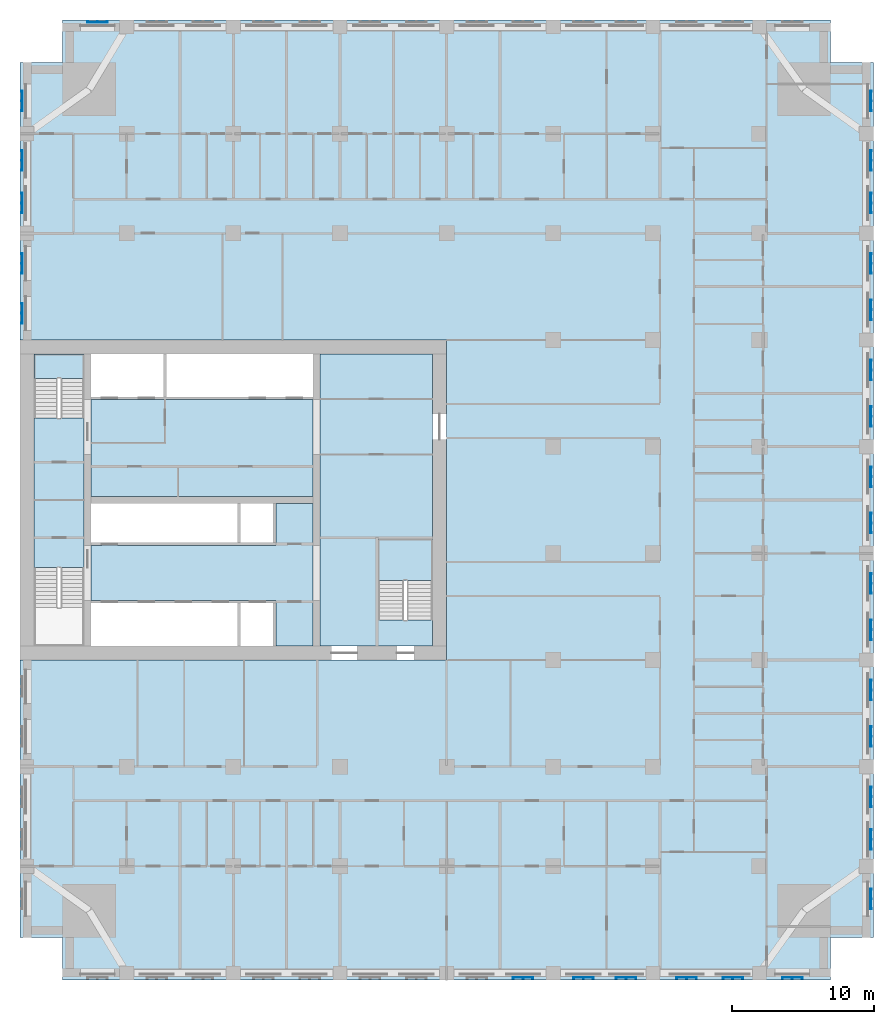
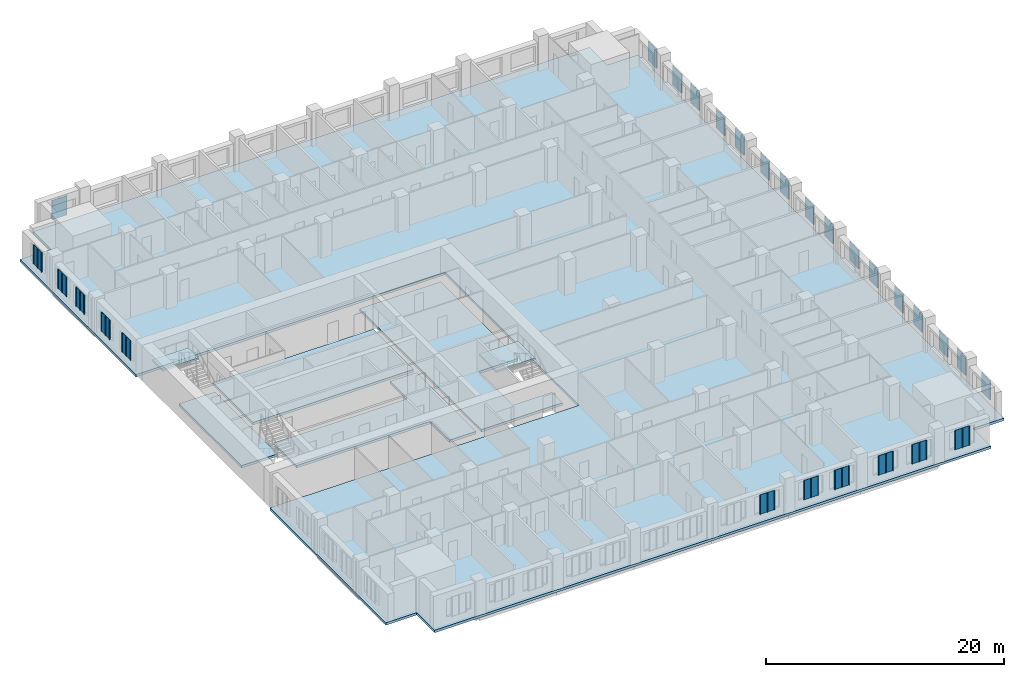
# One storey, part 2 of 15: 28 plates, 7 slabs, 2 elements without a shape of their own.
"""IFC4 building model written with IfcOpenShell, lengths in metres."""

from ifc_helpers import new_model, si_unit, direction, frame, origin, place, context, subcontext, project, spatial, polyline, outline, extrude, material, layer, layer_set, type_object, element, aggregate, save


model = new_model("IFC4")

# Units and contexts
model_context = context("Model", 3, precision=1e-05, world=origin(), true_north=direction((0.0, 1.0)))
body_context = subcontext(model_context, "Body", "Model", "MODEL_VIEW")
ifc_project = project(units=[si_unit("LENGTHUNIT", "METRE"), si_unit("AREAUNIT", "SQUARE_METRE"), si_unit("VOLUMEUNIT", "CUBIC_METRE"), si_unit("PLANEANGLEUNIT", "RADIAN"), si_unit("MASSUNIT", "GRAM", prefix="KILO")], contexts=[model_context])

# Site, building, storey
site_placement = place(None, origin())
site = spatial("IfcSite", under=ifc_project, at=site_placement, CompositionType="ELEMENT")
building_placement = place(site_placement, origin())
building = spatial("IfcBuilding", under=site, at=building_placement, Name="Tamorin Gate", CompositionType="ELEMENT")
storey_placement = place(building_placement, frame((0.0, 0.0, 111.5)))
storey = spatial("IfcBuildingStorey", under=building, at=storey_placement, Name="L27", CompositionType="ELEMENT", Elevation=111.5)

# Slabs
ifc_material_1 = material(Name="Concrete C40/50", Category="concrete")
ifc_layer_1 = layer(ifc_material_1, 0.25)
ifc_layer_set_1 = layer_set([ifc_layer_1], Name="Core floor slab 250 C40/50")
slab_type_1 = type_object("IfcSlabType", Name="Core floor slab 250 C40/50", PredefinedType="FLOOR", material=ifc_layer_set_1)
slab_1_placement = place(storey_placement, frame((0.0, 0.0, -0.25)))
element("IfcSlab", 1, at=slab_1_placement, inside=storey, type_object=slab_type_1, Name="Core floor L27", PredefinedType="FLOOR", context=body_context, shape_type="SweptSolid", body=[
    extrude(outline(polyline([(59.0, 62.800048828125), (59.0, 61.0), (51.10009765625, 61.0), (51.10009765625, 81.5), (59.0, 81.5), (59.0, 68.5), (55.199951171875, 68.5), (55.199951171875, 62.800048828125), (59.0, 62.800048828125)])), origin(), (0.0, 0.0, 1.0), 0.25),
])
slab_2_placement = place(storey_placement, frame((0.0, 0.0, -0.25)))
element("IfcSlab", 2, at=slab_2_placement, inside=storey, type_object=slab_type_1, Name="Core floor L27", PredefinedType="FLOOR", context=body_context, shape_type="SweptSolid", body=[
    extrude(outline(polyline([(50.60009765625, 61.0), (48.0, 61.0), (48.0, 64.199951171875), (35.0, 64.199951171875), (35.0, 68.050048828125), (48.0, 68.050048828125), (48.0, 71.0), (50.60009765625, 71.0), (50.60009765625, 61.0)])), origin(), (0.0, 0.0, 1.0), 0.25),
])
slab_3_placement = place(storey_placement, frame((0.0, 0.0, -0.25)))
element("IfcSlab", 3, at=slab_3_placement, inside=storey, type_object=slab_type_1, Name="Core floor L27", PredefinedType="FLOOR", context=body_context, shape_type="SweptSolid", body=[
    extrude(outline(polyline([(50.60009765625, 71.5), (35.0, 71.5), (35.0, 78.300048828125), (50.60009765625, 78.300048828125), (50.60009765625, 71.5)])), origin(), (0.0, 0.0, 1.0), 0.25),
])
slab_4_placement = place(storey_placement, frame((0.0, 0.0, -0.25)))
element("IfcSlab", 4, at=slab_4_placement, inside=storey, type_object=slab_type_1, Name="Core floor L27", PredefinedType="FLOOR", context=body_context, shape_type="SweptSolid", body=[
    extrude(outline(polyline([(31.0, 66.5), (31.0, 77.0), (34.5, 77.0), (34.5, 66.5), (31.0, 66.5)])), origin(), (0.0, 0.0, 1.0), 0.25),
])

# Stair, slab
stair_type = type_object("IfcStairType", Name="Exit stair", PredefinedType="HALF_TURN_STAIR", material=ifc_material_1)
stair_1_placement = place(storey_placement, origin())
stair_1 = element("IfcStair", 5, at=stair_1_placement, inside=storey, type_object=stair_type, Name="L27 stair ST2", PredefinedType="HALF_TURN_STAIR")
ifc_layer_2 = layer(ifc_material_1, 0.199951171875)
ifc_layer_set_2 = layer_set([ifc_layer_2], Name="Exit stair landing 200")
slab_type_2 = type_object("IfcSlabType", Name="Exit stair landing 200", PredefinedType="LANDING", material=ifc_layer_set_2)
slab_5_placement = place(storey_placement, frame((0.0, 0.0, 1.60009765625)))
slab_5 = element("IfcSlab", 6, at=slab_5_placement, type_object=slab_type_2, Name="ST2 landing 1", PredefinedType="LANDING", context=body_context, shape_type="SweptSolid", body=[
    extrude(outline(polyline([(34.5, 79.800048828125), (34.5, 81.5), (31.0, 81.5), (31.0, 79.800048828125), (34.5, 79.800048828125)])), origin(), (0.0, 0.0, 1.0), 0.199951171875),
])
aggregate(stair_1, [slab_5])

stair_2_placement = place(storey_placement, origin())
stair_2 = element("IfcStair", 7, at=stair_2_placement, inside=storey, type_object=stair_type, Name="L27 stair ST3", PredefinedType="HALF_TURN_STAIR")
slab_6_placement = place(storey_placement, frame((0.0, 0.0, 1.60009765625)))
slab_6 = element("IfcSlab", 8, at=slab_6_placement, type_object=slab_type_2, Name="ST3 landing 1", PredefinedType="LANDING", context=body_context, shape_type="SweptSolid", body=[
    extrude(outline(polyline([(59.0, 65.60009765625), (59.0, 68.5), (55.199951171875, 68.5), (55.199951171875, 65.60009765625), (59.0, 65.60009765625)])), origin(), (0.0, 0.0, 1.0), 0.199951171875),
])
aggregate(stair_2, [slab_6])

# Slab
ifc_layer_3 = layer(ifc_material_1, 0.25)
ifc_layer_set_3 = layer_set([ifc_layer_3], Name="Floor slab 250 C40/50")
slab_type_3 = type_object("IfcSlabType", Name="Floor slab 250 C40/50", PredefinedType="FLOOR", material=ifc_layer_set_3)
slab_7_placement = place(storey_placement, frame((0.0, 0.0, -0.25)))
element("IfcSlab", 9, at=slab_7_placement, inside=storey, type_object=slab_type_3, Name="Floor L27", PredefinedType="FLOOR", context=body_context, shape_type="SweptSolid", body=[
    extrude(outline(polyline([(30.0, 102.0), (33.0, 102.0), (33.0, 105.0), (87.0, 105.0), (87.0, 102.0), (90.0, 102.0), (90.0, 40.5), (87.0, 40.5), (87.0, 37.5), (33.0, 37.5), (33.0, 40.5), (30.0, 40.5), (30.0, 60.0), (60.0, 60.0), (60.0, 82.5), (30.0, 82.5), (30.0, 102.0)])), origin(), (0.0, 0.0, 1.0), 0.25),
])

# Plates
ifc_material_2 = material(Name="Perforated pale aluminium sheet", Category="aluminium")
ifc_layer_4 = layer(ifc_material_2, 0.0400390625)
ifc_layer_set_4 = layer_set([ifc_layer_4], Name="Pale metal solar screen 1440")
plate_type = type_object("IfcPlateType", Name="Pale metal solar screen 1440", PredefinedType="SHEET", material=ifc_layer_set_4)
plate_1_placement = place(storey_placement, frame((0.0, 0.0, 0.7099609375)))
element("IfcPlate", 10, at=plate_1_placement, inside=storey, type_object=plate_type, Name="Perforated solar screen", PredefinedType="SHEET", context=body_context, shape_type="SweptSolid", body=[
    extrude(outline(polyline([(64.655029296875, 37.659912109375), (64.655029296875, 37.699951171875), (64.715087890625, 37.699951171875), (65.344970703125, 37.699951171875), (65.405029296875, 37.699951171875), (66.034912109375, 37.699951171875), (66.094970703125, 37.699951171875), (66.094970703125, 37.659912109375), (66.094970703125, 37.60009765625), (66.034912109375, 37.60009765625), (66.034912109375, 37.659912109375), (65.405029296875, 37.659912109375), (65.405029296875, 37.60009765625), (65.344970703125, 37.60009765625), (65.344970703125, 37.659912109375), (64.715087890625, 37.659912109375), (64.715087890625, 37.60009765625), (64.655029296875, 37.60009765625), (64.655029296875, 37.659912109375)])), origin(), (0.0, 0.0, 1.0), 1.97998046875),
])
plate_2_placement = place(storey_placement, frame((0.0, 0.0, 0.7099609375)))
element("IfcPlate", 11, at=plate_2_placement, inside=storey, type_object=plate_type, Name="Perforated solar screen", PredefinedType="SHEET", context=body_context, shape_type="SweptSolid", body=[
    extrude(outline(polyline([(68.905029296875, 37.659912109375), (68.905029296875, 37.699951171875), (68.965087890625, 37.699951171875), (69.594970703125, 37.699951171875), (69.655029296875, 37.699951171875), (70.284912109375, 37.699951171875), (70.344970703125, 37.699951171875), (70.344970703125, 37.659912109375), (70.344970703125, 37.60009765625), (70.284912109375, 37.60009765625), (70.284912109375, 37.659912109375), (69.655029296875, 37.659912109375), (69.655029296875, 37.60009765625), (69.594970703125, 37.60009765625), (69.594970703125, 37.659912109375), (68.965087890625, 37.659912109375), (68.965087890625, 37.60009765625), (68.905029296875, 37.60009765625), (68.905029296875, 37.659912109375)])), origin(), (0.0, 0.0, 1.0), 1.97998046875),
])
plate_3_placement = place(storey_placement, frame((0.0, 0.0, 0.7099609375)))
element("IfcPlate", 12, at=plate_3_placement, inside=storey, type_object=plate_type, Name="Perforated solar screen", PredefinedType="SHEET", context=body_context, shape_type="SweptSolid", body=[
    extrude(outline(polyline([(71.905029296875, 37.659912109375), (71.905029296875, 37.699951171875), (71.965087890625, 37.699951171875), (72.594970703125, 37.699951171875), (72.655029296875, 37.699951171875), (73.284912109375, 37.699951171875), (73.344970703125, 37.699951171875), (73.344970703125, 37.659912109375), (73.344970703125, 37.60009765625), (73.284912109375, 37.60009765625), (73.284912109375, 37.659912109375), (72.655029296875, 37.659912109375), (72.655029296875, 37.60009765625), (72.594970703125, 37.60009765625), (72.594970703125, 37.659912109375), (71.965087890625, 37.659912109375), (71.965087890625, 37.60009765625), (71.905029296875, 37.60009765625), (71.905029296875, 37.659912109375)])), origin(), (0.0, 0.0, 1.0), 1.97998046875),
])
plate_4_placement = place(storey_placement, frame((0.0, 0.0, 0.7099609375)))
element("IfcPlate", 13, at=plate_4_placement, inside=storey, type_object=plate_type, Name="Perforated solar screen", PredefinedType="SHEET", context=body_context, shape_type="SweptSolid", body=[
    extrude(outline(polyline([(76.155029296875, 37.659912109375), (76.155029296875, 37.699951171875), (76.215087890625, 37.699951171875), (76.844970703125, 37.699951171875), (76.905029296875, 37.699951171875), (77.534912109375, 37.699951171875), (77.594970703125, 37.699951171875), (77.594970703125, 37.659912109375), (77.594970703125, 37.60009765625), (77.534912109375, 37.60009765625), (77.534912109375, 37.659912109375), (76.905029296875, 37.659912109375), (76.905029296875, 37.60009765625), (76.844970703125, 37.60009765625), (76.844970703125, 37.659912109375), (76.215087890625, 37.659912109375), (76.215087890625, 37.60009765625), (76.155029296875, 37.60009765625), (76.155029296875, 37.659912109375)])), origin(), (0.0, 0.0, 1.0), 1.97998046875),
])
plate_5_placement = place(storey_placement, frame((0.0, 0.0, 0.7099609375)))
element("IfcPlate", 14, at=plate_5_placement, inside=storey, type_object=plate_type, Name="Perforated solar screen", PredefinedType="SHEET", context=body_context, shape_type="SweptSolid", body=[
    extrude(outline(polyline([(79.405029296875, 37.659912109375), (79.405029296875, 37.699951171875), (79.465087890625, 37.699951171875), (80.094970703125, 37.699951171875), (80.155029296875, 37.699951171875), (80.784912109375, 37.699951171875), (80.844970703125, 37.699951171875), (80.844970703125, 37.659912109375), (80.844970703125, 37.60009765625), (80.784912109375, 37.60009765625), (80.784912109375, 37.659912109375), (80.155029296875, 37.659912109375), (80.155029296875, 37.60009765625), (80.094970703125, 37.60009765625), (80.094970703125, 37.659912109375), (79.465087890625, 37.659912109375), (79.465087890625, 37.60009765625), (79.405029296875, 37.60009765625), (79.405029296875, 37.659912109375)])), origin(), (0.0, 0.0, 1.0), 1.97998046875),
])
plate_6_placement = place(storey_placement, frame((0.0, 0.0, 0.7099609375)))
element("IfcPlate", 15, at=plate_6_placement, inside=storey, type_object=plate_type, Name="Perforated solar screen", PredefinedType="SHEET", context=body_context, shape_type="SweptSolid", body=[
    extrude(outline(polyline([(83.580078125, 37.659912109375), (83.580078125, 37.699951171875), (83.639892578125, 37.699951171875), (84.27001953125, 37.699951171875), (84.330078125, 37.699951171875), (84.9599609375, 37.699951171875), (85.02001953125, 37.699951171875), (85.02001953125, 37.659912109375), (85.02001953125, 37.60009765625), (84.9599609375, 37.60009765625), (84.9599609375, 37.659912109375), (84.330078125, 37.659912109375), (84.330078125, 37.60009765625), (84.27001953125, 37.60009765625), (84.27001953125, 37.659912109375), (83.639892578125, 37.659912109375), (83.639892578125, 37.60009765625), (83.580078125, 37.60009765625), (83.580078125, 37.659912109375)])), origin(), (0.0, 0.0, 1.0), 1.97998046875),
])
plate_7_placement = place(storey_placement, frame((0.0, 0.0, 0.7099609375)))
element("IfcPlate", 16, at=plate_7_placement, inside=storey, type_object=plate_type, Name="Perforated solar screen", PredefinedType="SHEET", context=body_context, shape_type="SweptSolid", body=[
    extrude(outline(polyline([(89.840087890625, 42.47998046875), (89.800048828125, 42.47998046875), (89.800048828125, 42.5400390625), (89.800048828125, 43.169921875), (89.800048828125, 43.22998046875), (89.800048828125, 43.860107421875), (89.800048828125, 43.919921875), (89.840087890625, 43.919921875), (89.89990234375, 43.919921875), (89.89990234375, 43.860107421875), (89.840087890625, 43.860107421875), (89.840087890625, 43.22998046875), (89.89990234375, 43.22998046875), (89.89990234375, 43.169921875), (89.840087890625, 43.169921875), (89.840087890625, 42.5400390625), (89.89990234375, 42.5400390625), (89.89990234375, 42.47998046875), (89.840087890625, 42.47998046875)])), origin(), (0.0, 0.0, 1.0), 1.97998046875),
])
plate_8_placement = place(storey_placement, frame((0.0, 0.0, 0.7099609375)))
element("IfcPlate", 17, at=plate_8_placement, inside=storey, type_object=plate_type, Name="Perforated solar screen", PredefinedType="SHEET", context=body_context, shape_type="SweptSolid", body=[
    extrude(outline(polyline([(89.840087890625, 46.655029296875), (89.800048828125, 46.655029296875), (89.800048828125, 46.715087890625), (89.800048828125, 47.344970703125), (89.800048828125, 47.405029296875), (89.800048828125, 48.034912109375), (89.800048828125, 48.094970703125), (89.800048828125, 48.094970703125), (89.840087890625, 48.094970703125), (89.840087890625, 48.094970703125), (89.89990234375, 48.094970703125), (89.89990234375, 48.034912109375), (89.840087890625, 48.034912109375), (89.840087890625, 47.405029296875), (89.89990234375, 47.405029296875), (89.89990234375, 47.344970703125), (89.840087890625, 47.344970703125), (89.840087890625, 46.715087890625), (89.89990234375, 46.715087890625), (89.89990234375, 46.655029296875), (89.840087890625, 46.655029296875)])), origin(), (0.0, 0.0, 1.0), 1.97998046875),
])
plate_9_placement = place(storey_placement, frame((0.0, 0.0, 0.7099609375)))
element("IfcPlate", 18, at=plate_9_placement, inside=storey, type_object=plate_type, Name="Perforated solar screen", PredefinedType="SHEET", context=body_context, shape_type="SweptSolid", body=[
    extrude(outline(polyline([(89.840087890625, 49.655029296875), (89.800048828125, 49.655029296875), (89.800048828125, 49.715087890625), (89.800048828125, 50.344970703125), (89.800048828125, 50.405029296875), (89.800048828125, 51.034912109375), (89.800048828125, 51.094970703125), (89.840087890625, 51.094970703125), (89.89990234375, 51.094970703125), (89.89990234375, 51.034912109375), (89.840087890625, 51.034912109375), (89.840087890625, 50.405029296875), (89.89990234375, 50.405029296875), (89.89990234375, 50.344970703125), (89.840087890625, 50.344970703125), (89.840087890625, 49.715087890625), (89.89990234375, 49.715087890625), (89.89990234375, 49.655029296875), (89.840087890625, 49.655029296875)])), origin(), (0.0, 0.0, 1.0), 1.97998046875),
])
plate_10_placement = place(storey_placement, frame((0.0, 0.0, 0.7099609375)))
element("IfcPlate", 19, at=plate_10_placement, inside=storey, type_object=plate_type, Name="Perforated solar screen", PredefinedType="SHEET", context=body_context, shape_type="SweptSolid", body=[
    extrude(outline(polyline([(89.840087890625, 53.905029296875), (89.800048828125, 53.905029296875), (89.800048828125, 53.965087890625), (89.800048828125, 54.594970703125), (89.800048828125, 54.655029296875), (89.800048828125, 55.284912109375), (89.800048828125, 55.344970703125), (89.840087890625, 55.344970703125), (89.89990234375, 55.344970703125), (89.89990234375, 55.284912109375), (89.840087890625, 55.284912109375), (89.840087890625, 54.655029296875), (89.89990234375, 54.655029296875), (89.89990234375, 54.594970703125), (89.840087890625, 54.594970703125), (89.840087890625, 53.965087890625), (89.89990234375, 53.965087890625), (89.89990234375, 53.905029296875), (89.840087890625, 53.905029296875)])), origin(), (0.0, 0.0, 1.0), 1.97998046875),
])
plate_11_placement = place(storey_placement, frame((0.0, 0.0, 0.7099609375)))
element("IfcPlate", 20, at=plate_11_placement, inside=storey, type_object=plate_type, Name="Perforated solar screen", PredefinedType="SHEET", context=body_context, shape_type="SweptSolid", body=[
    extrude(outline(polyline([(89.840087890625, 57.155029296875), (89.800048828125, 57.155029296875), (89.800048828125, 57.215087890625), (89.800048828125, 57.844970703125), (89.800048828125, 57.905029296875), (89.800048828125, 58.534912109375), (89.800048828125, 58.594970703125), (89.840087890625, 58.594970703125), (89.89990234375, 58.594970703125), (89.89990234375, 58.534912109375), (89.840087890625, 58.534912109375), (89.840087890625, 57.905029296875), (89.89990234375, 57.905029296875), (89.89990234375, 57.844970703125), (89.840087890625, 57.844970703125), (89.840087890625, 57.215087890625), (89.89990234375, 57.215087890625), (89.89990234375, 57.155029296875), (89.840087890625, 57.155029296875)])), origin(), (0.0, 0.0, 1.0), 1.97998046875),
])
plate_12_placement = place(storey_placement, frame((0.0, 0.0, 0.7099609375)))
element("IfcPlate", 21, at=plate_12_placement, inside=storey, type_object=plate_type, Name="Perforated solar screen", PredefinedType="SHEET", context=body_context, shape_type="SweptSolid", body=[
    extrude(outline(polyline([(89.840087890625, 61.405029296875), (89.800048828125, 61.405029296875), (89.800048828125, 61.465087890625), (89.800048828125, 62.094970703125), (89.800048828125, 62.155029296875), (89.800048828125, 62.784912109375), (89.800048828125, 62.844970703125), (89.840087890625, 62.844970703125), (89.89990234375, 62.844970703125), (89.89990234375, 62.784912109375), (89.840087890625, 62.784912109375), (89.840087890625, 62.155029296875), (89.89990234375, 62.155029296875), (89.89990234375, 62.094970703125), (89.840087890625, 62.094970703125), (89.840087890625, 61.465087890625), (89.89990234375, 61.465087890625), (89.89990234375, 61.405029296875), (89.840087890625, 61.405029296875)])), origin(), (0.0, 0.0, 1.0), 1.97998046875),
])
plate_13_placement = place(storey_placement, frame((0.0, 0.0, 0.7099609375)))
element("IfcPlate", 22, at=plate_13_placement, inside=storey, type_object=plate_type, Name="Perforated solar screen", PredefinedType="SHEET", context=body_context, shape_type="SweptSolid", body=[
    extrude(outline(polyline([(89.840087890625, 64.655029296875), (89.800048828125, 64.655029296875), (89.800048828125, 64.715087890625), (89.800048828125, 65.344970703125), (89.800048828125, 65.405029296875), (89.800048828125, 66.034912109375), (89.800048828125, 66.094970703125), (89.840087890625, 66.094970703125), (89.89990234375, 66.094970703125), (89.89990234375, 66.034912109375), (89.840087890625, 66.034912109375), (89.840087890625, 65.405029296875), (89.89990234375, 65.405029296875), (89.89990234375, 65.344970703125), (89.840087890625, 65.344970703125), (89.840087890625, 64.715087890625), (89.89990234375, 64.715087890625), (89.89990234375, 64.655029296875), (89.840087890625, 64.655029296875)])), origin(), (0.0, 0.0, 1.0), 1.97998046875),
])
plate_14_placement = place(storey_placement, frame((0.0, 0.0, 0.7099609375)))
element("IfcPlate", 23, at=plate_14_placement, inside=storey, type_object=plate_type, Name="Perforated solar screen", PredefinedType="SHEET", context=body_context, shape_type="SweptSolid", body=[
    extrude(outline(polyline([(89.840087890625, 68.905029296875), (89.800048828125, 68.905029296875), (89.800048828125, 68.965087890625), (89.800048828125, 69.594970703125), (89.800048828125, 69.655029296875), (89.800048828125, 70.284912109375), (89.800048828125, 70.344970703125), (89.840087890625, 70.344970703125), (89.89990234375, 70.344970703125), (89.89990234375, 70.284912109375), (89.840087890625, 70.284912109375), (89.840087890625, 69.655029296875), (89.89990234375, 69.655029296875), (89.89990234375, 69.594970703125), (89.840087890625, 69.594970703125), (89.840087890625, 68.965087890625), (89.89990234375, 68.965087890625), (89.89990234375, 68.905029296875), (89.840087890625, 68.905029296875)])), origin(), (0.0, 0.0, 1.0), 1.97998046875),
])
plate_15_placement = place(storey_placement, frame((0.0, 0.0, 0.7099609375)))
element("IfcPlate", 24, at=plate_15_placement, inside=storey, type_object=plate_type, Name="Perforated solar screen", PredefinedType="SHEET", context=body_context, shape_type="SweptSolid", body=[
    extrude(outline(polyline([(89.840087890625, 72.155029296875), (89.800048828125, 72.155029296875), (89.800048828125, 72.215087890625), (89.800048828125, 72.844970703125), (89.800048828125, 72.905029296875), (89.800048828125, 73.534912109375), (89.800048828125, 73.594970703125), (89.840087890625, 73.594970703125), (89.89990234375, 73.594970703125), (89.89990234375, 73.534912109375), (89.840087890625, 73.534912109375), (89.840087890625, 72.905029296875), (89.89990234375, 72.905029296875), (89.89990234375, 72.844970703125), (89.840087890625, 72.844970703125), (89.840087890625, 72.215087890625), (89.89990234375, 72.215087890625), (89.89990234375, 72.155029296875), (89.840087890625, 72.155029296875)])), origin(), (0.0, 0.0, 1.0), 1.97998046875),
])
plate_16_placement = place(storey_placement, frame((0.0, 0.0, 0.7099609375)))
element("IfcPlate", 25, at=plate_16_placement, inside=storey, type_object=plate_type, Name="Perforated solar screen", PredefinedType="SHEET", context=body_context, shape_type="SweptSolid", body=[
    extrude(outline(polyline([(89.840087890625, 76.405029296875), (89.800048828125, 76.405029296875), (89.800048828125, 76.465087890625), (89.800048828125, 77.094970703125), (89.800048828125, 77.155029296875), (89.800048828125, 77.784912109375), (89.800048828125, 77.844970703125), (89.840087890625, 77.844970703125), (89.89990234375, 77.844970703125), (89.89990234375, 77.784912109375), (89.840087890625, 77.784912109375), (89.840087890625, 77.155029296875), (89.89990234375, 77.155029296875), (89.89990234375, 77.094970703125), (89.840087890625, 77.094970703125), (89.840087890625, 76.465087890625), (89.89990234375, 76.465087890625), (89.89990234375, 76.405029296875), (89.840087890625, 76.405029296875)])), origin(), (0.0, 0.0, 1.0), 1.97998046875),
])
plate_17_placement = place(storey_placement, frame((0.0, 0.0, 0.7099609375)))
element("IfcPlate", 26, at=plate_17_placement, inside=storey, type_object=plate_type, Name="Perforated solar screen", PredefinedType="SHEET", context=body_context, shape_type="SweptSolid", body=[
    extrude(outline(polyline([(89.840087890625, 79.655029296875), (89.800048828125, 79.655029296875), (89.800048828125, 79.715087890625), (89.800048828125, 80.344970703125), (89.800048828125, 80.405029296875), (89.800048828125, 81.034912109375), (89.800048828125, 81.094970703125), (89.840087890625, 81.094970703125), (89.89990234375, 81.094970703125), (89.89990234375, 81.034912109375), (89.840087890625, 81.034912109375), (89.840087890625, 80.405029296875), (89.89990234375, 80.405029296875), (89.89990234375, 80.344970703125), (89.840087890625, 80.344970703125), (89.840087890625, 79.715087890625), (89.89990234375, 79.715087890625), (89.89990234375, 79.655029296875), (89.840087890625, 79.655029296875)])), origin(), (0.0, 0.0, 1.0), 1.97998046875),
])
plate_18_placement = place(storey_placement, frame((0.0, 0.0, 0.7099609375)))
element("IfcPlate", 27, at=plate_18_placement, inside=storey, type_object=plate_type, Name="Perforated solar screen", PredefinedType="SHEET", context=body_context, shape_type="SweptSolid", body=[
    extrude(outline(polyline([(89.840087890625, 83.905029296875), (89.800048828125, 83.905029296875), (89.800048828125, 83.965087890625), (89.800048828125, 84.594970703125), (89.800048828125, 84.655029296875), (89.800048828125, 85.284912109375), (89.800048828125, 85.344970703125), (89.840087890625, 85.344970703125), (89.89990234375, 85.344970703125), (89.89990234375, 85.284912109375), (89.840087890625, 85.284912109375), (89.840087890625, 84.655029296875), (89.89990234375, 84.655029296875), (89.89990234375, 84.594970703125), (89.840087890625, 84.594970703125), (89.840087890625, 83.965087890625), (89.89990234375, 83.965087890625), (89.89990234375, 83.905029296875), (89.840087890625, 83.905029296875)])), origin(), (0.0, 0.0, 1.0), 1.97998046875),
])
plate_19_placement = place(storey_placement, frame((0.0, 0.0, 0.7099609375)))
element("IfcPlate", 28, at=plate_19_placement, inside=storey, type_object=plate_type, Name="Perforated solar screen", PredefinedType="SHEET", context=body_context, shape_type="SweptSolid", body=[
    extrude(outline(polyline([(89.840087890625, 87.155029296875), (89.800048828125, 87.155029296875), (89.800048828125, 87.215087890625), (89.800048828125, 87.844970703125), (89.800048828125, 87.905029296875), (89.800048828125, 88.534912109375), (89.800048828125, 88.594970703125), (89.840087890625, 88.594970703125), (89.89990234375, 88.594970703125), (89.89990234375, 88.534912109375), (89.840087890625, 88.534912109375), (89.840087890625, 87.905029296875), (89.89990234375, 87.905029296875), (89.89990234375, 87.844970703125), (89.840087890625, 87.844970703125), (89.840087890625, 87.215087890625), (89.89990234375, 87.215087890625), (89.89990234375, 87.155029296875), (89.840087890625, 87.155029296875)])), origin(), (0.0, 0.0, 1.0), 1.97998046875),
])
plate_20_placement = place(storey_placement, frame((0.0, 0.0, 0.7099609375)))
element("IfcPlate", 29, at=plate_20_placement, inside=storey, type_object=plate_type, Name="Perforated solar screen", PredefinedType="SHEET", context=body_context, shape_type="SweptSolid", body=[
    extrude(outline(polyline([(89.840087890625, 91.405029296875), (89.800048828125, 91.405029296875), (89.800048828125, 91.465087890625), (89.800048828125, 92.094970703125), (89.800048828125, 92.155029296875), (89.800048828125, 92.784912109375), (89.800048828125, 92.844970703125), (89.840087890625, 92.844970703125), (89.89990234375, 92.844970703125), (89.89990234375, 92.784912109375), (89.840087890625, 92.784912109375), (89.840087890625, 92.155029296875), (89.89990234375, 92.155029296875), (89.89990234375, 92.094970703125), (89.840087890625, 92.094970703125), (89.840087890625, 91.465087890625), (89.89990234375, 91.465087890625), (89.89990234375, 91.405029296875), (89.840087890625, 91.405029296875)])), origin(), (0.0, 0.0, 1.0), 1.97998046875),
])
plate_21_placement = place(storey_placement, frame((0.0, 0.0, 0.7099609375)))
element("IfcPlate", 30, at=plate_21_placement, inside=storey, type_object=plate_type, Name="Perforated solar screen", PredefinedType="SHEET", context=body_context, shape_type="SweptSolid", body=[
    extrude(outline(polyline([(89.840087890625, 94.405029296875), (89.800048828125, 94.405029296875), (89.800048828125, 94.465087890625), (89.800048828125, 95.094970703125), (89.800048828125, 95.155029296875), (89.800048828125, 95.784912109375), (89.800048828125, 95.844970703125), (89.840087890625, 95.844970703125), (89.89990234375, 95.844970703125), (89.89990234375, 95.784912109375), (89.840087890625, 95.784912109375), (89.840087890625, 95.155029296875), (89.89990234375, 95.155029296875), (89.89990234375, 95.094970703125), (89.840087890625, 95.094970703125), (89.840087890625, 94.465087890625), (89.89990234375, 94.465087890625), (89.89990234375, 94.405029296875), (89.840087890625, 94.405029296875)])), origin(), (0.0, 0.0, 1.0), 1.97998046875),
])
plate_22_placement = place(storey_placement, frame((0.0, 0.0, 0.7099609375)))
element("IfcPlate", 31, at=plate_22_placement, inside=storey, type_object=plate_type, Name="Perforated solar screen", PredefinedType="SHEET", context=body_context, shape_type="SweptSolid", body=[
    extrude(outline(polyline([(89.840087890625, 98.580078125), (89.800048828125, 98.580078125), (89.800048828125, 98.639892578125), (89.800048828125, 99.27001953125), (89.800048828125, 99.330078125), (89.800048828125, 99.9599609375), (89.800048828125, 100.02001953125), (89.840087890625, 100.02001953125), (89.89990234375, 100.02001953125), (89.89990234375, 99.9599609375), (89.840087890625, 99.9599609375), (89.840087890625, 99.330078125), (89.89990234375, 99.330078125), (89.89990234375, 99.27001953125), (89.840087890625, 99.27001953125), (89.840087890625, 98.639892578125), (89.89990234375, 98.639892578125), (89.89990234375, 98.580078125), (89.840087890625, 98.580078125)])), origin(), (0.0, 0.0, 1.0), 1.97998046875),
])
plate_23_placement = place(storey_placement, frame((0.0, 0.0, 0.7099609375)))
element("IfcPlate", 32, at=plate_23_placement, inside=storey, type_object=plate_type, Name="Perforated solar screen", PredefinedType="SHEET", context=body_context, shape_type="SweptSolid", body=[
    extrude(outline(polyline([(36.169921875, 104.840087890625), (36.169921875, 104.800048828125), (36.110107421875, 104.800048828125), (35.47998046875, 104.800048828125), (35.419921875, 104.800048828125), (34.7900390625, 104.800048828125), (34.72998046875, 104.800048828125), (34.72998046875, 104.840087890625), (34.72998046875, 104.89990234375), (34.7900390625, 104.89990234375), (34.7900390625, 104.840087890625), (35.419921875, 104.840087890625), (35.419921875, 104.89990234375), (35.47998046875, 104.89990234375), (35.47998046875, 104.840087890625), (36.110107421875, 104.840087890625), (36.110107421875, 104.89990234375), (36.169921875, 104.89990234375), (36.169921875, 104.840087890625)])), origin(), (0.0, 0.0, 1.0), 1.97998046875),
])
plate_24_placement = place(storey_placement, frame((0.0, 0.0, 0.7099609375)))
element("IfcPlate", 33, at=plate_24_placement, inside=storey, type_object=plate_type, Name="Perforated solar screen", PredefinedType="SHEET", context=body_context, shape_type="SweptSolid", body=[
    extrude(outline(polyline([(30.159912109375, 100.02001953125), (30.199951171875, 100.02001953125), (30.199951171875, 99.9599609375), (30.199951171875, 99.330078125), (30.199951171875, 99.27001953125), (30.199951171875, 98.639892578125), (30.199951171875, 98.580078125), (30.159912109375, 98.580078125), (30.10009765625, 98.580078125), (30.10009765625, 98.639892578125), (30.159912109375, 98.639892578125), (30.159912109375, 99.27001953125), (30.10009765625, 99.27001953125), (30.10009765625, 99.330078125), (30.159912109375, 99.330078125), (30.159912109375, 99.9599609375), (30.10009765625, 99.9599609375), (30.10009765625, 100.02001953125), (30.159912109375, 100.02001953125)])), origin(), (0.0, 0.0, 1.0), 1.97998046875),
])
plate_25_placement = place(storey_placement, frame((0.0, 0.0, 0.7099609375)))
element("IfcPlate", 34, at=plate_25_placement, inside=storey, type_object=plate_type, Name="Perforated solar screen", PredefinedType="SHEET", context=body_context, shape_type="SweptSolid", body=[
    extrude(outline(polyline([(30.159912109375, 92.844970703125), (30.199951171875, 92.844970703125), (30.199951171875, 92.784912109375), (30.199951171875, 92.155029296875), (30.199951171875, 92.094970703125), (30.199951171875, 91.465087890625), (30.199951171875, 91.405029296875), (30.159912109375, 91.405029296875), (30.10009765625, 91.405029296875), (30.10009765625, 91.465087890625), (30.159912109375, 91.465087890625), (30.159912109375, 92.094970703125), (30.10009765625, 92.094970703125), (30.10009765625, 92.155029296875), (30.159912109375, 92.155029296875), (30.159912109375, 92.784912109375), (30.10009765625, 92.784912109375), (30.10009765625, 92.844970703125), (30.159912109375, 92.844970703125)])), origin(), (0.0, 0.0, 1.0), 1.97998046875),
])
plate_26_placement = place(storey_placement, frame((0.0, 0.0, 0.7099609375)))
element("IfcPlate", 35, at=plate_26_placement, inside=storey, type_object=plate_type, Name="Perforated solar screen", PredefinedType="SHEET", context=body_context, shape_type="SweptSolid", body=[
    extrude(outline(polyline([(30.159912109375, 95.844970703125), (30.199951171875, 95.844970703125), (30.199951171875, 95.784912109375), (30.199951171875, 95.155029296875), (30.199951171875, 95.094970703125), (30.199951171875, 94.465087890625), (30.199951171875, 94.405029296875), (30.199951171875, 94.405029296875), (30.159912109375, 94.405029296875), (30.159912109375, 94.405029296875), (30.10009765625, 94.405029296875), (30.10009765625, 94.465087890625), (30.159912109375, 94.465087890625), (30.159912109375, 95.094970703125), (30.10009765625, 95.094970703125), (30.10009765625, 95.155029296875), (30.159912109375, 95.155029296875), (30.159912109375, 95.784912109375), (30.10009765625, 95.784912109375), (30.10009765625, 95.844970703125), (30.159912109375, 95.844970703125)])), origin(), (0.0, 0.0, 1.0), 1.97998046875),
])
plate_27_placement = place(storey_placement, frame((0.0, 0.0, 0.7099609375)))
element("IfcPlate", 36, at=plate_27_placement, inside=storey, type_object=plate_type, Name="Perforated solar screen", PredefinedType="SHEET", context=body_context, shape_type="SweptSolid", body=[
    extrude(outline(polyline([(30.159912109375, 85.094970703125), (30.199951171875, 85.094970703125), (30.199951171875, 85.034912109375), (30.199951171875, 84.405029296875), (30.199951171875, 84.344970703125), (30.199951171875, 83.715087890625), (30.199951171875, 83.655029296875), (30.159912109375, 83.655029296875), (30.10009765625, 83.655029296875), (30.10009765625, 83.715087890625), (30.159912109375, 83.715087890625), (30.159912109375, 84.344970703125), (30.10009765625, 84.344970703125), (30.10009765625, 84.405029296875), (30.159912109375, 84.405029296875), (30.159912109375, 85.034912109375), (30.10009765625, 85.034912109375), (30.10009765625, 85.094970703125), (30.159912109375, 85.094970703125)])), origin(), (0.0, 0.0, 1.0), 1.97998046875),
])
plate_28_placement = place(storey_placement, frame((0.0, 0.0, 0.7099609375)))
element("IfcPlate", 37, at=plate_28_placement, inside=storey, type_object=plate_type, Name="Perforated solar screen", PredefinedType="SHEET", context=body_context, shape_type="SweptSolid", body=[
    extrude(outline(polyline([(30.159912109375, 88.594970703125), (30.199951171875, 88.594970703125), (30.199951171875, 88.534912109375), (30.199951171875, 87.905029296875), (30.199951171875, 87.844970703125), (30.199951171875, 87.215087890625), (30.199951171875, 87.155029296875), (30.159912109375, 87.155029296875), (30.10009765625, 87.155029296875), (30.10009765625, 87.215087890625), (30.159912109375, 87.215087890625), (30.159912109375, 87.844970703125), (30.10009765625, 87.844970703125), (30.10009765625, 87.905029296875), (30.159912109375, 87.905029296875), (30.159912109375, 88.534912109375), (30.10009765625, 88.534912109375), (30.10009765625, 88.594970703125), (30.159912109375, 88.594970703125)])), origin(), (0.0, 0.0, 1.0), 1.97998046875),
])

save(model, "model.ifc")
